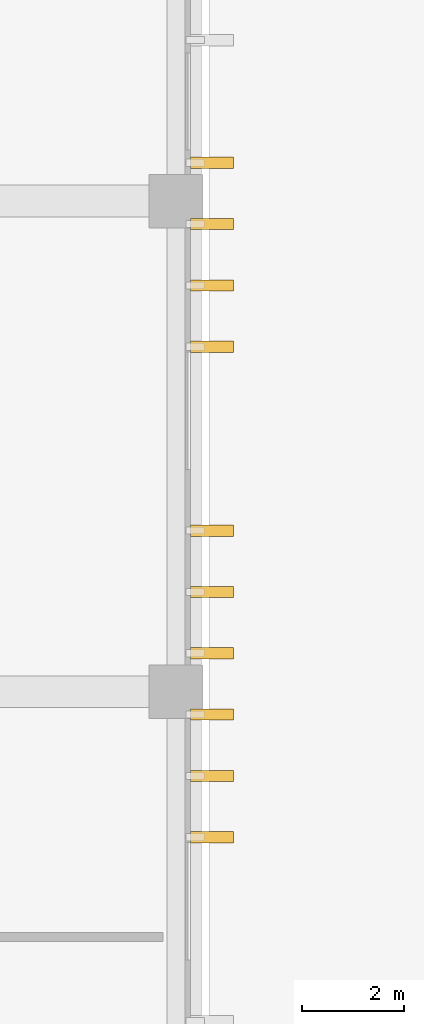
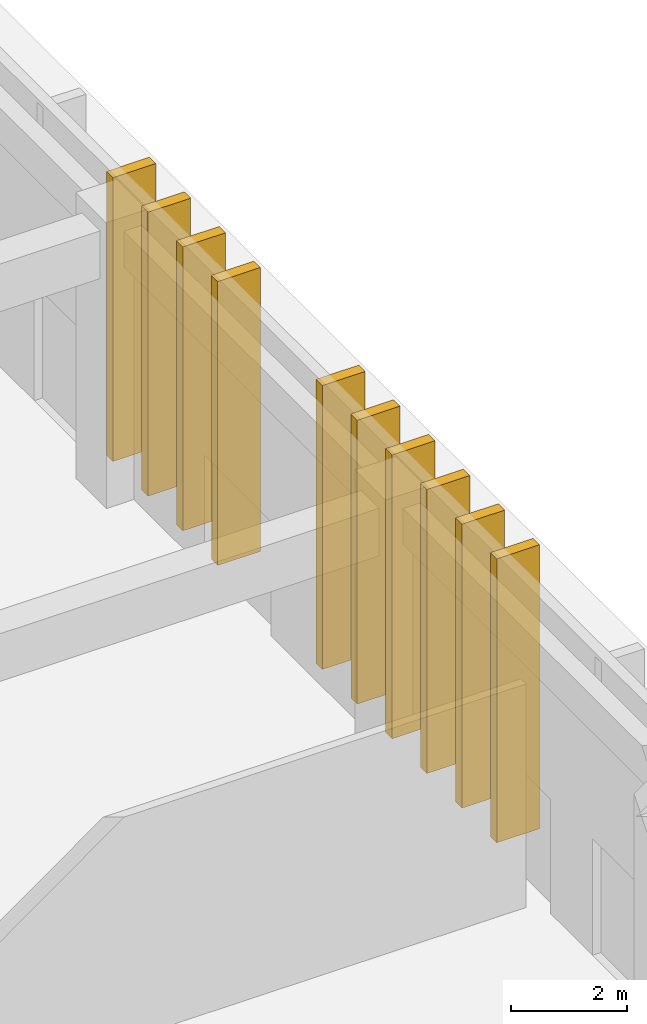
# One storey, part 76 of 87: 10 coverings, 10 shading devices.
"""IFC4 building model written with IfcOpenShell, lengths in metres."""

from ifc_helpers import new_model, si_unit, direction, frame, origin, origin_2d, place, context, subcontext, project, spatial, rectangle, extrude, material, layer, layer_set, type_object, element, save


model = new_model("IFC4")

# Units and contexts
model_context = context("Model", 3, precision=1e-05, world=origin(), true_north=direction((0.0, 1.0)))
body_context = subcontext(model_context, "Body", "Model", "MODEL_VIEW")
ifc_project = project(units=[si_unit("LENGTHUNIT", "METRE"), si_unit("AREAUNIT", "SQUARE_METRE"), si_unit("VOLUMEUNIT", "CUBIC_METRE"), si_unit("PLANEANGLEUNIT", "RADIAN"), si_unit("MASSUNIT", "GRAM", prefix="KILO")], contexts=[model_context])

# Site, building, storey
site_placement = place(None, origin())
site = spatial("IfcSite", under=ifc_project, at=site_placement, CompositionType="ELEMENT")
building_placement = place(site_placement, origin())
building = spatial("IfcBuilding", under=site, at=building_placement, Name="Nakhvara Creek Congress Hotel", CompositionType="ELEMENT")
storey_placement = place(building_placement, origin())
storey = spatial("IfcBuildingStorey", under=building, at=storey_placement, Name="L00", CompositionType="ELEMENT", Elevation=0.0)

# Coverings
ifc_material_1 = material(Name="Honed pale Omani limestone architectural cladding", Category="masonry")
ifc_layer = layer(ifc_material_1, 0.219970703125)
ifc_layer_set = layer_set([ifc_layer], Name="Honed pale Omani limestone architectural cladding")
covering_type = type_object("IfcCoveringType", Name="COV-FIN-850", PredefinedType="CLADDING", material=ifc_layer_set)
for number, where, z_axis, x_axis, name in (
    (1, (180.054931640625, 16.35009765625, 0.0), (0.0, 0.0, 1.0), (0.0, 1.0, 0.0), "Pale Limestone Fin Cladding CF01-0543"),
    (2, (180.054931640625, 17.550048828125, 0.0), (0.0, 0.0, 1.0), (0.0, 1.0, 0.0), "Pale Limestone Fin Cladding CF01-0544"),
    (3, (180.054931640625, 18.75, 0.0), (0.0, 0.0, 1.0), (0.0, 1.0, 0.0), "Pale Limestone Fin Cladding CF01-0545"),
    (4, (180.054931640625, 19.949951171875, 0.0), (0.0, 0.0, 1.0), (0.0, 1.0, 0.0), "Pale Limestone Fin Cladding CF01-0546"),
    (5, (180.054931640625, 21.14990234375, 0.0), (0.0, 0.0, 1.0), (0.0, 1.0, 0.0), "Pale Limestone Fin Cladding CF01-0547"),
    (6, (180.054931640625, 22.35009765625, 0.0), (0.0, 0.0, 1.0), (0.0, 1.0, 0.0), "Pale Limestone Fin Cladding CF01-0548"),
    (7, (180.054931640625, 25.949951171875, 0.0), (0.0, 0.0, 1.0), (0.0, 1.0, 0.0), "Pale Limestone Fin Cladding CF01-0549"),
    (8, (180.054931640625, 27.14990234375, 0.0), (0.0, 0.0, 1.0), (0.0, 1.0, 0.0), "Pale Limestone Fin Cladding CF01-0550"),
    (9, (180.054931640625, 28.35009765625, 0.0), (0.0, 0.0, 1.0), (0.0, 1.0, 0.0), "Pale Limestone Fin Cladding CF01-0551"),
    (10, (180.054931640625, 29.550048828125, 0.0), (0.0, 0.0, 1.0), (0.0, 1.0, 0.0), "Pale Limestone Fin Cladding CF01-0552"),
):
    element("IfcCovering", number, at=place(storey_placement, frame(where, z_axis=z_axis, x_axis=x_axis)), inside=storey, type_object=covering_type, Name=name, PredefinedType="CLADDING", context=body_context, shape_type="SweptSolid", body=[
        extrude(rectangle(XDim=0.219970703125, YDim=0.85009765625, at=origin_2d()), origin(), (0.0, 0.0, 1.0), 5.9599609375),
    ])

# Shading devices
ifc_material_2 = material(Name="Honed pale Omani limestone cladding on stainless steel spine", Category="masonry")
shading_device_type = type_object("IfcShadingDeviceType", Name="SHD-FIN-850X5800", PredefinedType="USERDEFINED", material=ifc_material_2)
for number, where, z_axis, x_axis, name in (
    (11, (180.054931640625, 16.35009765625, 0.0), (0.0, 0.0, 1.0), (0.0, 1.0, 0.0), "Limestone Solar Fin FN03-0408"),
    (12, (180.054931640625, 17.550048828125, 0.0), (0.0, 0.0, 1.0), (0.0, 1.0, 0.0), "Limestone Solar Fin FN03-0409"),
    (13, (180.054931640625, 18.75, 0.0), (0.0, 0.0, 1.0), (0.0, 1.0, 0.0), "Limestone Solar Fin FN03-0410"),
    (14, (180.054931640625, 19.949951171875, 0.0), (0.0, 0.0, 1.0), (0.0, 1.0, 0.0), "Limestone Solar Fin FN03-0411"),
    (15, (180.054931640625, 21.14990234375, 0.0), (0.0, 0.0, 1.0), (0.0, 1.0, 0.0), "Limestone Solar Fin FN03-0412"),
    (16, (180.054931640625, 22.35009765625, 0.0), (0.0, 0.0, 1.0), (0.0, 1.0, 0.0), "Limestone Solar Fin FN03-0413"),
    (17, (180.054931640625, 25.949951171875, 0.0), (0.0, 0.0, 1.0), (0.0, 1.0, 0.0), "Limestone Solar Fin FN03-0414"),
    (18, (180.054931640625, 27.14990234375, 0.0), (0.0, 0.0, 1.0), (0.0, 1.0, 0.0), "Limestone Solar Fin FN03-0415"),
    (19, (180.054931640625, 28.35009765625, 0.0), (0.0, 0.0, 1.0), (0.0, 1.0, 0.0), "Limestone Solar Fin FN03-0416"),
    (20, (180.054931640625, 29.550048828125, 0.0), (0.0, 0.0, 1.0), (0.0, 1.0, 0.0), "Limestone Solar Fin FN03-0417"),
):
    element("IfcShadingDevice", number, at=place(storey_placement, frame(where, z_axis=z_axis, x_axis=x_axis)), inside=storey, type_object=shading_device_type, Name=name, ObjectType="FIN", PredefinedType="USERDEFINED", context=body_context, shape_type="SweptSolid", body=[
        extrude(rectangle(XDim=0.219970703125, YDim=0.85009765625, at=origin_2d()), origin(), (0.0, 0.0, 1.0), 5.9599609375),
    ])

save(model, "model.ifc")
